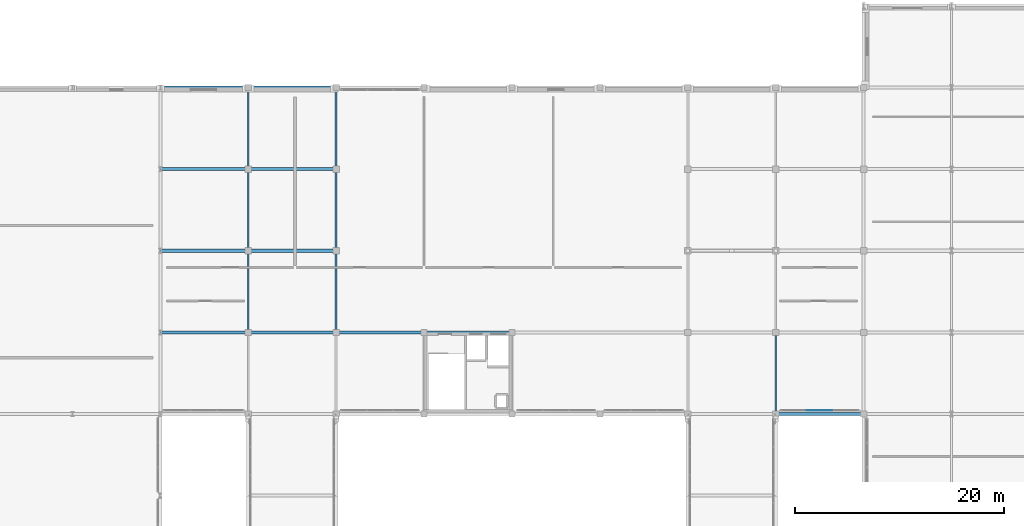
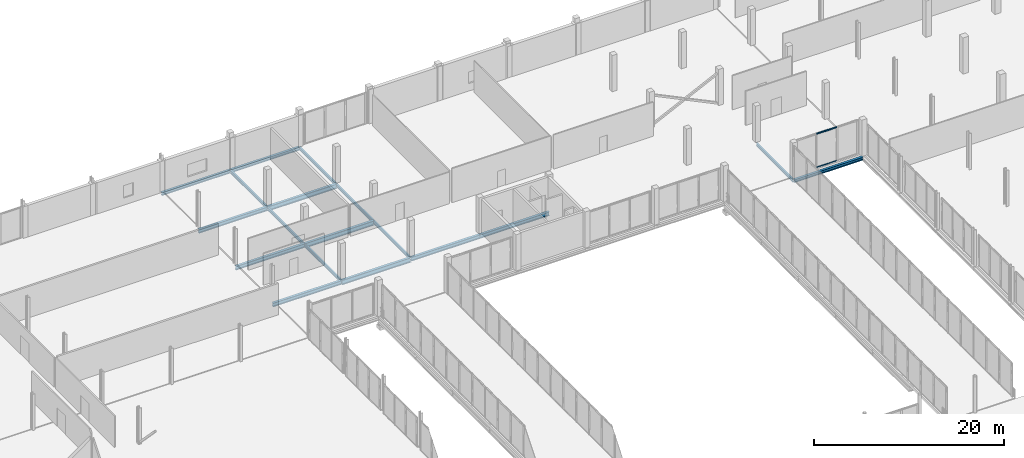
# One storey, part 43 of 98: 18 beams, 2 members, 1 element without a shape of its own.
"""IFC4 building model written with IfcOpenShell, lengths in metres."""

from ifc_helpers import new_model, si_unit, direction, frame, origin, origin_2d, place, context, subcontext, project, spatial, rectangle, i_section, extrude, material, material_profile, profile_set, type_object, element, aggregate, save


model = new_model("IFC4")

# Units and contexts
model_context = context("Model", 3, precision=1e-05, world=origin(), true_north=direction((0.0, 1.0)))
body_context = subcontext(model_context, "Body", "Model", "MODEL_VIEW")
ifc_project = project(units=[si_unit("LENGTHUNIT", "METRE"), si_unit("AREAUNIT", "SQUARE_METRE"), si_unit("VOLUMEUNIT", "CUBIC_METRE"), si_unit("PLANEANGLEUNIT", "RADIAN"), si_unit("MASSUNIT", "GRAM", prefix="KILO")], contexts=[model_context])

# Site, building, storey
site_placement = place(None, origin())
site = spatial("IfcSite", under=ifc_project, at=site_placement, CompositionType="ELEMENT")
building_placement = place(site_placement, origin())
building = spatial("IfcBuilding", under=site, at=building_placement, Name="Nabrawat Pavilion Hospital", CompositionType="ELEMENT")
storey_placement = place(building_placement, frame((0.0, 0.0, 10.199951171875)))
storey = spatial("IfcBuildingStorey", under=building, at=storey_placement, Name="L02", CompositionType="ELEMENT", Elevation=10.199951171875)

# Beams
ifc_material_1 = material(Name="Steel S355", Category="steel")
ifc_material_profile_1 = material_profile(ifc_material_1, i_section(OverallWidth=0.300048828125, OverallDepth=0.590087890625, WebThickness=0.012939453125, FlangeThickness=0.02490234375, FilletRadius=0.027099609375, at=origin_2d()), Name="HEA 600")
ifc_profile_set_1 = profile_set([ifc_material_profile_1], Name="Steel S355")
beam_type_1 = type_object("IfcBeamType", Name="Diagnostic Long-Span Girder HEA 600", PredefinedType="USERDEFINED", material=ifc_profile_set_1)
for number, where, z_axis, x_axis, name in (
    (1, (67.219970703125, 93.60009765625, -0.544921875), (1.0, 0.0, 0.0), (0.0, 1.0, 0.0), "L02 Primary X Girder 1104"),
    (2, (67.219970703125, 101.39990234375, -0.544921875), (1.0, 0.0, 0.0), (0.0, 1.0, 0.0), "L02 Primary X Girder 1120"),
    (3, (67.219970703125, 109.199951171875, -0.544921875), (1.0, 0.0, 0.0), (0.0, 1.0, 0.0), "L02 Primary X Girder 1132"),
):
    element("IfcBeam", number, at=place(storey_placement, frame(where, z_axis=z_axis, x_axis=x_axis)), inside=storey, type_object=beam_type_1, Name=name, ObjectType="GIRDER", PredefinedType="USERDEFINED", context=body_context, shape_type="SweptSolid", body=[
        extrude(i_section(OverallWidth=0.300048828125, OverallDepth=0.590087890625, WebThickness=0.012939453125, FlangeThickness=0.02490234375, FilletRadius=0.027099609375, at=origin_2d()), origin(), (0.0, 0.0, 1.0), 8.360107421875),
    ])

# Curtain wall, members
ifc_material_2 = material(Name="Anodised Aluminium", Category="aluminium")
curtain_wall_type = type_object("IfcCurtainWallType", Name="Healing Garden Cloister Curtain Wall", PredefinedType="USERDEFINED", material=ifc_material_2)
curtain_wall_placement = place(storey_placement, origin())
curtain_wall = element("IfcCurtainWall", 4, at=curtain_wall_placement, inside=storey, type_object=curtain_wall_type, Name="L02 Healing Garden Cloister Curtain Wall 129", ObjectType="CURTAIN WALL", PredefinedType="USERDEFINED")
ifc_material_profile_2 = material_profile(ifc_material_2, rectangle(XDim=0.06494140625, YDim=0.135009765625, at=origin_2d()), Name="CWT 65x135")
ifc_profile_set_2 = profile_set([ifc_material_profile_2], Name="Anodised Aluminium")
member_type = type_object("IfcMemberType", Name="Healing Garden Cloister Curtain Wall Transom CWT 65x135", PredefinedType="USERDEFINED", material=ifc_profile_set_2)
member_1_placement = place(storey_placement, frame((120.5791015625, 86.139892578125, 0.032470703125), z_axis=(1.0, 0.0, 0.0), x_axis=(0.0, 1.0, 0.0)))
member_1 = element("IfcMember", 5, at=member_1_placement, type_object=member_type, Name="CW-CLN-01 transom 2.1", ObjectType="TRANSOM", PredefinedType="USERDEFINED", context=body_context, shape_type="SweptSolid", body=[
    extrude(rectangle(XDim=0.06494140625, YDim=0.135009765625, at=origin_2d()), origin(), (0.0, 0.0, 1.0), 2.441650390625),
])
member_2_placement = place(storey_placement, frame((120.5791015625, 86.139892578125, 4.337646484375), z_axis=(1.0, 0.0, 0.0), x_axis=(0.0, 1.0, 0.0)))
member_2 = element("IfcMember", 6, at=member_2_placement, type_object=member_type, Name="CW-CLN-01 transom 2.2", ObjectType="TRANSOM", PredefinedType="USERDEFINED", context=body_context, shape_type="SweptSolid", body=[
    extrude(rectangle(XDim=0.06494140625, YDim=0.135009765625, at=origin_2d()), origin(), (0.0, 0.0, 1.0), 2.441650390625),
])
aggregate(curtain_wall, [member_1, member_2])

# Beams
ifc_material_profile_3 = material_profile(ifc_material_1, i_section(OverallWidth=0.300048828125, OverallDepth=0.389892578125, WebThickness=0.010986328125, FlangeThickness=0.01904296875, FilletRadius=0.027099609375, at=origin_2d()), Name="HEA 400")
ifc_profile_set_3 = profile_set([ifc_material_profile_3], Name="Steel S355")
beam_type_2 = type_object("IfcBeamType", Name="Perimeter Moment Spandrel Beam HEA 400", PredefinedType="SPANDREL", material=ifc_profile_set_3)
for number, where, z_axis, x_axis, name in (
    (7, (117.6201171875, 85.800048828125, -0.445068359375), (1.0, 0.0, 0.0), (0.0, 1.0, 0.0), "L02 Primary X Girder 1091"),
    (8, (58.820068359375, 117.0, -0.445068359375), (1.0, 0.0, 0.0), (0.0, 1.0, 0.0), "L02 Primary X Girder 1148"),
):
    element("IfcBeam", number, at=place(storey_placement, frame(where, z_axis=z_axis, x_axis=x_axis)), inside=storey, type_object=beam_type_2, Name=name, PredefinedType="SPANDREL", context=body_context, shape_type="SweptSolid", body=[
        extrude(i_section(OverallWidth=0.300048828125, OverallDepth=0.389892578125, WebThickness=0.010986328125, FlangeThickness=0.01904296875, FilletRadius=0.027099609375, at=origin_2d()), origin(), (0.0, 0.0, 1.0), 8.35986328125),
    ])
beam_1_placement = place(storey_placement, frame((67.219970703125, 117.0, -0.445068359375), z_axis=(1.0, 0.0, 0.0), x_axis=(0.0, 1.0, 0.0)))
element("IfcBeam", 9, at=beam_1_placement, inside=storey, type_object=beam_type_2, Name="L02 Primary X Girder 1149", PredefinedType="SPANDREL", context=body_context, shape_type="SweptSolid", body=[
    extrude(i_section(OverallWidth=0.300048828125, OverallDepth=0.389892578125, WebThickness=0.010986328125, FlangeThickness=0.01904296875, FilletRadius=0.027099609375, at=origin_2d()), origin(), (0.0, 0.0, 1.0), 8.360107421875),
])
ifc_material_profile_4 = material_profile(ifc_material_1, i_section(OverallWidth=0.300048828125, OverallDepth=0.489990234375, WebThickness=0.011962890625, FlangeThickness=0.02294921875, FilletRadius=0.027099609375, at=origin_2d()), Name="HEA 500")
ifc_profile_set_4 = profile_set([ifc_material_profile_4], Name="Steel S355")
beam_type_3 = type_object("IfcBeamType", Name="Primary Floor Girder HEA 500", PredefinedType="USERDEFINED", material=ifc_profile_set_4)
for number, where, z_axis, x_axis, name in (
    (10, (58.820068359375, 93.60009765625, -0.494873046875), (1.0, 0.0, 0.0), (0.0, 1.0, 0.0), "L02 Primary X Girder 1103"),
    (11, (75.6201171875, 93.60009765625, -0.494873046875), (1.0, 0.0, 0.0), (0.0, 1.0, 0.0), "L02 Primary X Girder 1105"),
    (12, (84.02001953125, 93.60009765625, -0.494873046875), (1.0, 0.0, 0.0), (0.0, 1.0, 0.0), "L02 Primary X Girder 1106"),
    (13, (58.820068359375, 101.39990234375, -0.494873046875), (1.0, 0.0, 0.0), (0.0, 1.0, 0.0), "L02 Primary X Girder 1119"),
    (14, (58.820068359375, 109.199951171875, -0.494873046875), (1.0, 0.0, 0.0), (0.0, 1.0, 0.0), "L02 Primary X Girder 1131"),
):
    element("IfcBeam", number, at=place(storey_placement, frame(where, z_axis=z_axis, x_axis=x_axis)), inside=storey, type_object=beam_type_3, Name=name, ObjectType="GIRDER", PredefinedType="USERDEFINED", context=body_context, shape_type="SweptSolid", body=[
        extrude(i_section(OverallWidth=0.300048828125, OverallDepth=0.489990234375, WebThickness=0.011962890625, FlangeThickness=0.02294921875, FilletRadius=0.027099609375, at=origin_2d()), origin(), (0.0, 0.0, 1.0), 8.35986328125),
    ])
ifc_material_profile_5 = material_profile(ifc_material_1, i_section(OverallWidth=0.179931640625, OverallDepth=0.39990234375, WebThickness=0.008544921875, FlangeThickness=0.013427734375, FilletRadius=0.02099609375, at=origin_2d()), Name="IPE 400")
ifc_profile_set_5 = profile_set([ifc_material_profile_5], Name="Steel S355")
beam_type_4 = type_object("IfcBeamType", Name="Standard Y Floor Beam IPE 400", PredefinedType="BEAM", material=ifc_profile_set_5)
beam_2_placement = place(storey_placement, frame((67.199951171875, 93.6201171875, -0.449951171875), z_axis=(0.0, 1.0, 0.0), x_axis=(-1.0, 0.0, 0.0)))
element("IfcBeam", 15, at=beam_2_placement, inside=storey, type_object=beam_type_4, Name="L02 Primary Y Beam 1244", PredefinedType="BEAM", context=body_context, shape_type="SweptSolid", body=[
    extrude(i_section(OverallWidth=0.179931640625, OverallDepth=0.39990234375, WebThickness=0.008544921875, FlangeThickness=0.013427734375, FilletRadius=0.02099609375, at=origin_2d()), origin(), (0.0, 0.0, 1.0), 7.759765625),
])
for number, where, z_axis, x_axis, name in (
    (16, (67.199951171875, 101.419921875, -0.449951171875), (0.0, 1.0, 0.0), (-1.0, 0.0, 0.0), "L02 Primary Y Beam 1245"),
    (17, (67.199951171875, 109.219970703125, -0.449951171875), (0.0, 1.0, 0.0), (-1.0, 0.0, 0.0), "L02 Primary Y Beam 1246"),
):
    element("IfcBeam", number, at=place(storey_placement, frame(where, z_axis=z_axis, x_axis=x_axis)), inside=storey, type_object=beam_type_4, Name=name, PredefinedType="BEAM", context=body_context, shape_type="SweptSolid", body=[
        extrude(i_section(OverallWidth=0.179931640625, OverallDepth=0.39990234375, WebThickness=0.008544921875, FlangeThickness=0.013427734375, FilletRadius=0.02099609375, at=origin_2d()), origin(), (0.0, 0.0, 1.0), 7.760009765625),
    ])
beam_3_placement = place(storey_placement, frame((75.60009765625, 93.6201171875, -0.449951171875), z_axis=(0.0, 1.0, 0.0), x_axis=(-1.0, 0.0, 0.0)))
element("IfcBeam", 18, at=beam_3_placement, inside=storey, type_object=beam_type_4, Name="L02 Primary Y Beam 1253", PredefinedType="BEAM", context=body_context, shape_type="SweptSolid", body=[
    extrude(i_section(OverallWidth=0.179931640625, OverallDepth=0.39990234375, WebThickness=0.008544921875, FlangeThickness=0.013427734375, FilletRadius=0.02099609375, at=origin_2d()), origin(), (0.0, 0.0, 1.0), 7.759765625),
])
for number, where, z_axis, x_axis, name in (
    (19, (75.60009765625, 101.419921875, -0.449951171875), (0.0, 1.0, 0.0), (-1.0, 0.0, 0.0), "L02 Primary Y Beam 1254"),
    (20, (75.60009765625, 109.219970703125, -0.449951171875), (0.0, 1.0, 0.0), (-1.0, 0.0, 0.0), "L02 Primary Y Beam 1255"),
    (21, (117.60009765625, 85.820068359375, -0.449951171875), (0.0, 1.0, 0.0), (-1.0, 0.0, 0.0), "L02 Primary Y Beam 1272"),
):
    element("IfcBeam", number, at=place(storey_placement, frame(where, z_axis=z_axis, x_axis=x_axis)), inside=storey, type_object=beam_type_4, Name=name, PredefinedType="BEAM", context=body_context, shape_type="SweptSolid", body=[
        extrude(i_section(OverallWidth=0.179931640625, OverallDepth=0.39990234375, WebThickness=0.008544921875, FlangeThickness=0.013427734375, FilletRadius=0.02099609375, at=origin_2d()), origin(), (0.0, 0.0, 1.0), 7.760009765625),
    ])

save(model, "model.ifc")
